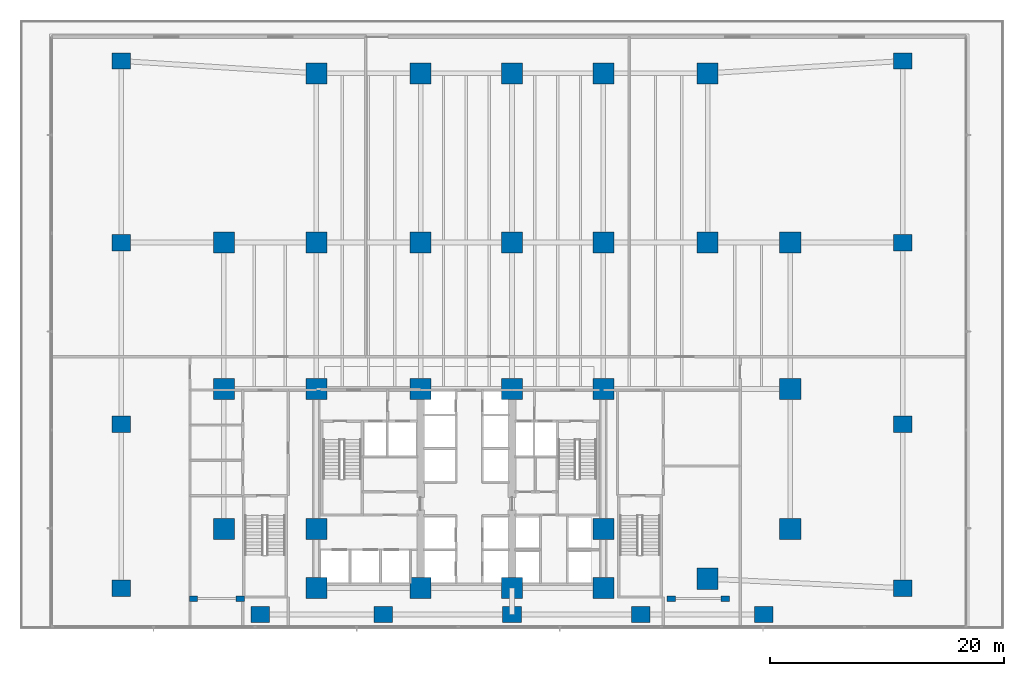
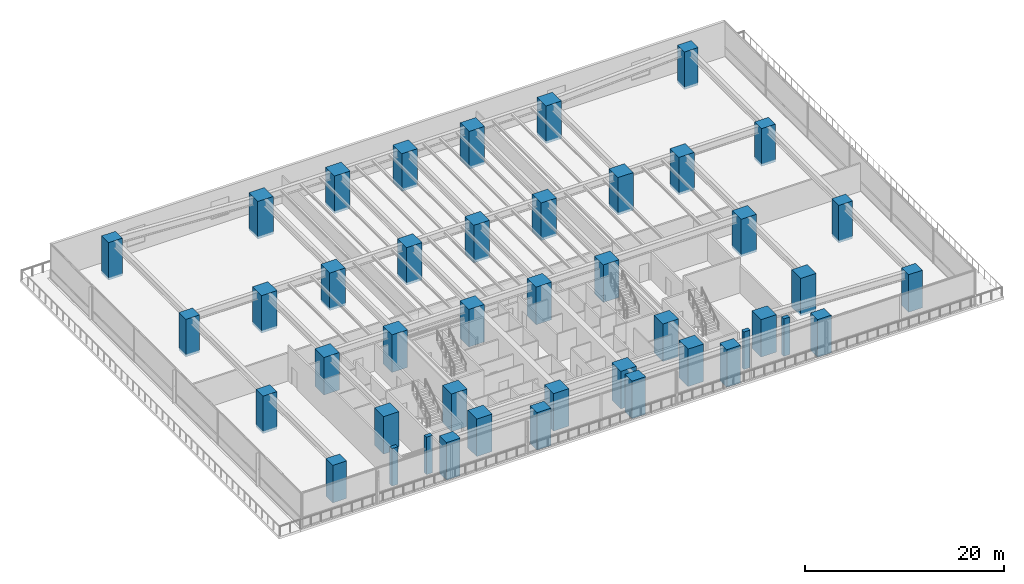
# One storey, part 1 of 27: 44 columns.
"""IFC4 building model written with IfcOpenShell, lengths in metres."""

from ifc_helpers import new_model, si_unit, direction, frame, origin, origin_2d, place, context, subcontext, project, spatial, rectangle, extrude, material, material_profile, profile_set, type_object, element, save


model = new_model("IFC4")

# Units and contexts
model_context = context("Model", 3, precision=1e-05, world=origin(), true_north=direction((0.0, 1.0)))
body_context = subcontext(model_context, "Body", "Model", "MODEL_VIEW")
ifc_project = project(units=[si_unit("LENGTHUNIT", "METRE"), si_unit("AREAUNIT", "SQUARE_METRE"), si_unit("VOLUMEUNIT", "CUBIC_METRE"), si_unit("PLANEANGLEUNIT", "RADIAN"), si_unit("MASSUNIT", "GRAM", prefix="KILO")], contexts=[model_context])

# Site, building, storey
site_placement = place(None, origin())
site = spatial("IfcSite", under=ifc_project, at=site_placement, CompositionType="ELEMENT")
building_placement = place(site_placement, origin())
building = spatial("IfcBuilding", under=site, at=building_placement, Name="Qalmaran Belvedere Hotel", CompositionType="ELEMENT")
storey_placement = place(building_placement, frame((0.0, 0.0, 5.39990234375)))
storey = spatial("IfcBuildingStorey", under=building, at=storey_placement, Name="L01", CompositionType="ELEMENT", Elevation=5.39990234375)

# Columns
ifc_material_1 = material(Name="Concrete C60/75", Category="concrete")
ifc_material_profile_1 = material_profile(ifc_material_1, rectangle(XDim=1.60009765625, YDim=1.39990234375, at=origin_2d()), Name="MC1600X1400")
ifc_profile_set_1 = profile_set([ifc_material_profile_1], Name="Concrete C60/75")
column_type_1 = type_object("IfcColumnType", Name="COL-POD-MC1600", PredefinedType="COLUMN", material=ifc_profile_set_1)
for number, where, z_axis, x_axis, name in (
    (1, (3.64990234375, 3.5, -0.2998046875), (0.0, 0.0, 1.0), (1.0, 0.0, 0.0), "L01 Column PW2"),
    (2, (3.64990234375, 17.5, -0.2998046875), (0.0, 0.0, 1.0), (1.0, 0.0, 0.0), "L01 Column PW4"),
    (3, (3.64990234375, 33.0, -0.2998046875), (0.0, 0.0, 1.0), (1.0, 0.0, 0.0), "L01 Column PW6"),
    (4, (3.64990234375, 48.5, -0.2998046875), (0.0, 0.0, 1.0), (1.0, 0.0, 0.0), "L01 Column PW8"),
    (5, (70.35009765625, 3.5, -0.2998046875), (0.0, 0.0, 1.0), (1.0, 0.0, 0.0), "L01 Column PE1"),
    (6, (70.35009765625, 17.5, -0.2998046875), (0.0, 0.0, 1.0), (1.0, 0.0, 0.0), "L01 Column PE3"),
    (7, (70.35009765625, 33.0, -0.2998046875), (0.0, 0.0, 1.0), (1.0, 0.0, 0.0), "L01 Column PE5"),
    (8, (70.35009765625, 48.5, -0.2998046875), (0.0, 0.0, 1.0), (1.0, 0.0, 0.0), "L01 Column PE7"),
    (9, (15.5, 1.25, -0.2998046875), (0.0, 0.0, 1.0), (1.0, 0.0, 0.0), "L01 Column PS1"),
    (10, (26.0, 1.25, -0.2998046875), (0.0, 0.0, 1.0), (1.0, 0.0, 0.0), "L01 Column PS2"),
    (11, (37.0, 1.25, -0.2998046875), (0.0, 0.0, 1.0), (1.0, 0.0, 0.0), "L01 Column PS3"),
    (12, (48.0, 1.25, -0.2998046875), (0.0, 0.0, 1.0), (1.0, 0.0, 0.0), "L01 Column PS4"),
    (13, (58.5, 1.25, -0.2998046875), (0.0, 0.0, 1.0), (1.0, 0.0, 0.0), "L01 Column PS5"),
):
    element("IfcColumn", number, at=place(storey_placement, frame(where, z_axis=z_axis, x_axis=x_axis)), inside=storey, type_object=column_type_1, Name=name, PredefinedType="COLUMN", context=body_context, shape_type="SweptSolid", body=[
        extrude(rectangle(XDim=1.60009765625, YDim=1.39990234375, at=origin_2d()), origin(), (0.0, 0.0, 1.0), 4.599853515625),
    ])
ifc_material_profile_2 = material_profile(ifc_material_1, rectangle(XDim=1.800048828125, YDim=1.800048828125, at=origin_2d()), Name="MC1800X1800")
ifc_profile_set_2 = profile_set([ifc_material_profile_2], Name="Concrete C60/75")
column_type_2 = type_object("IfcColumnType", Name="COL-POD-MC1800", PredefinedType="COLUMN", material=ifc_profile_set_2)
for number, where, z_axis, x_axis, name in (
    (14, (20.300048828125, 3.5, -0.2998046875), (0.0, 0.0, 1.0), (1.0, 0.0, 0.0), "L01 Column C4B"),
    (15, (29.199951171875, 3.5, -0.2998046875), (0.0, 0.0, 1.0), (1.0, 0.0, 0.0), "L01 Column C5B"),
    (16, (37.0, 3.5, -0.2998046875), (0.0, 0.0, 1.0), (1.0, 0.0, 0.0), "L01 Column C6B"),
    (17, (44.800048828125, 3.5, -0.2998046875), (0.0, 0.0, 1.0), (1.0, 0.0, 0.0), "L01 Column C7B"),
    (18, (20.300048828125, 8.550048828125, -0.2998046875), (0.0, 0.0, 1.0), (1.0, 0.0, 0.0), "L01 Column C4C"),
    (19, (44.800048828125, 8.550048828125, -0.2998046875), (0.0, 0.0, 1.0), (1.0, 0.0, 0.0), "L01 Column C7C"),
    (20, (20.300048828125, 20.5, -0.2998046875), (0.0, 0.0, 1.0), (1.0, 0.0, 0.0), "L01 Column C4D"),
    (21, (29.199951171875, 20.5, -0.2998046875), (0.0, 0.0, 1.0), (1.0, 0.0, 0.0), "L01 Column C5D"),
    (22, (37.0, 20.5, -0.2998046875), (0.0, 0.0, 1.0), (1.0, 0.0, 0.0), "L01 Column C6D"),
    (23, (44.800048828125, 20.5, -0.2998046875), (0.0, 0.0, 1.0), (1.0, 0.0, 0.0), "L01 Column C7D"),
    (24, (20.300048828125, 33.0, -0.2998046875), (0.0, 0.0, 1.0), (1.0, 0.0, 0.0), "L01 Column C4F"),
    (25, (29.199951171875, 33.0, -0.2998046875), (0.0, 0.0, 1.0), (1.0, 0.0, 0.0), "L01 Column C5F"),
    (26, (37.0, 33.0, -0.2998046875), (0.0, 0.0, 1.0), (1.0, 0.0, 0.0), "L01 Column C6F"),
    (27, (44.800048828125, 33.0, -0.2998046875), (0.0, 0.0, 1.0), (1.0, 0.0, 0.0), "L01 Column C7F"),
    (28, (12.39990234375, 8.550048828125, -0.2998046875), (0.0, 0.0, 1.0), (1.0, 0.0, 0.0), "L01 Column CW1"),
    (29, (12.39990234375, 20.5, -0.2998046875), (0.0, 0.0, 1.0), (1.0, 0.0, 0.0), "L01 Column CW3"),
    (30, (12.39990234375, 33.0, -0.2998046875), (0.0, 0.0, 1.0), (1.0, 0.0, 0.0), "L01 Column CW4"),
    (31, (20.300048828125, 47.449951171875, -0.2998046875), (0.0, 0.0, 1.0), (1.0, 0.0, 0.0), "L01 Column CN1"),
    (32, (29.199951171875, 47.449951171875, -0.2998046875), (0.0, 0.0, 1.0), (1.0, 0.0, 0.0), "L01 Column CN2"),
    (33, (37.0, 47.449951171875, -0.2998046875), (0.0, 0.0, 1.0), (1.0, 0.0, 0.0), "L01 Column CN3"),
    (34, (44.800048828125, 47.449951171875, -0.2998046875), (0.0, 0.0, 1.0), (1.0, 0.0, 0.0), "L01 Column CN4"),
    (35, (53.699951171875, 47.449951171875, -0.2998046875), (0.0, 0.0, 1.0), (1.0, 0.0, 0.0), "L01 Column CN5"),
    (36, (60.75, 8.550048828125, -0.2998046875), (0.0, 0.0, 1.0), (1.0, 0.0, 0.0), "L01 Column CE1"),
    (37, (60.75, 20.5, -0.2998046875), (0.0, 0.0, 1.0), (1.0, 0.0, 0.0), "L01 Column CE3"),
    (38, (60.75, 33.0, -0.2998046875), (0.0, 0.0, 1.0), (1.0, 0.0, 0.0), "L01 Column CE4"),
    (39, (53.699951171875, 4.300048828125, -0.2998046875), (0.0, 0.0, 1.0), (1.0, 0.0, 0.0), "L01 Column CSE1"),
    (40, (53.699951171875, 33.0, -0.2998046875), (0.0, 0.0, 1.0), (1.0, 0.0, 0.0), "L01 Column CSN5"),
):
    element("IfcColumn", number, at=place(storey_placement, frame(where, z_axis=z_axis, x_axis=x_axis)), inside=storey, type_object=column_type_2, Name=name, PredefinedType="COLUMN", context=body_context, shape_type="SweptSolid", body=[
        extrude(rectangle(XDim=1.800048828125, YDim=1.800048828125, at=origin_2d()), origin(), (0.0, 0.0, 1.0), 4.599853515625),
    ])
ifc_material_2 = material(Name="Concrete C40/50", Category="concrete")
ifc_material_profile_3 = material_profile(ifc_material_2, rectangle(XDim=0.699951171875, YDim=0.449951171875, at=origin_2d()), Name="PIL700X450")
ifc_profile_set_3 = profile_set([ifc_material_profile_3], Name="Concrete C40/50")
column_type_3 = type_object("IfcColumnType", Name="COL-POD-PIL700", PredefinedType="PILASTER", material=ifc_profile_set_3)
for number, where, z_axis, x_axis, name in (
    (41, (9.800048828125, 2.60009765625, -0.2998046875), (0.0, 0.0, 1.0), (1.0, 0.0, 0.0), "L01 Podium Colonnade Pilaster 01"),
    (42, (13.800048828125, 2.60009765625, -0.2998046875), (0.0, 0.0, 1.0), (1.0, 0.0, 0.0), "L01 Podium Colonnade Pilaster 02"),
    (43, (50.60009765625, 2.60009765625, -0.2998046875), (0.0, 0.0, 1.0), (1.0, 0.0, 0.0), "L01 Podium Colonnade Pilaster 03"),
    (44, (55.199951171875, 2.60009765625, -0.2998046875), (0.0, 0.0, 1.0), (1.0, 0.0, 0.0), "L01 Podium Colonnade Pilaster 04"),
):
    element("IfcColumn", number, at=place(storey_placement, frame(where, z_axis=z_axis, x_axis=x_axis)), inside=storey, type_object=column_type_3, Name=name, PredefinedType="PILASTER", context=body_context, shape_type="SweptSolid", body=[
        extrude(rectangle(XDim=0.699951171875, YDim=0.449951171875, at=origin_2d()), origin(), (0.0, 0.0, 1.0), 4.599853515625),
    ])

save(model, "model.ifc")
